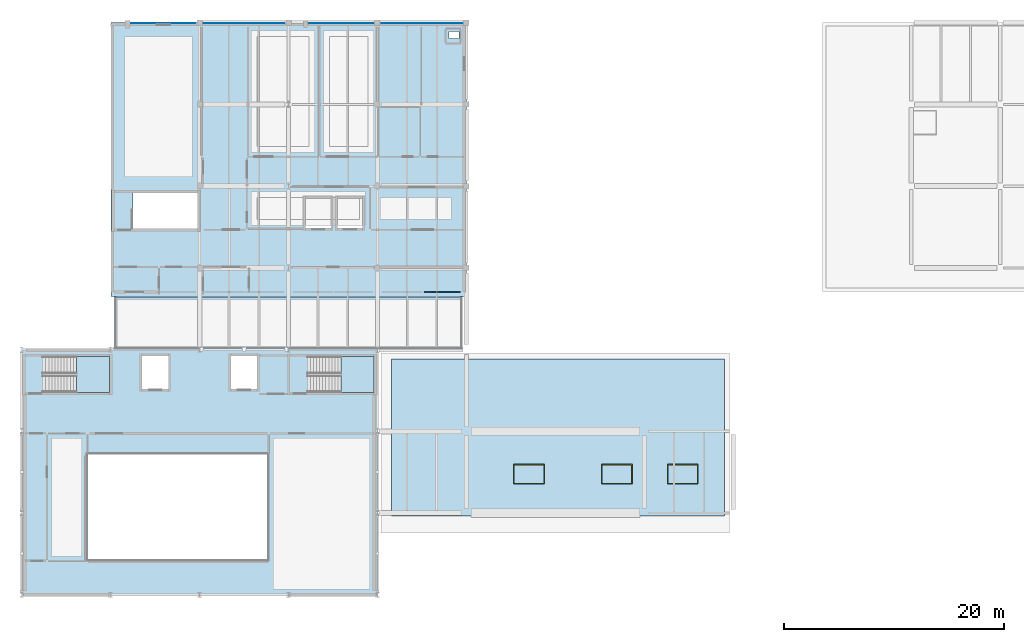
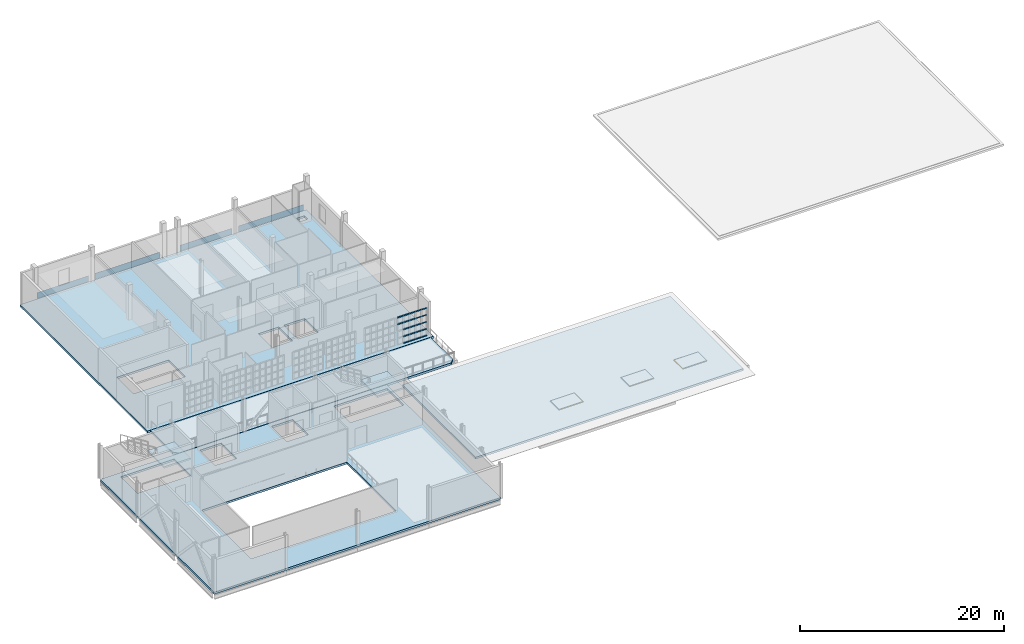
# One storey, part 14 of 25: 22 members, 7 plates, 6 slabs, 3 windows, 3 openings, 3 elements without a shape of their own.
"""IFC4 building model written with IfcOpenShell, lengths in metres."""

from ifc_helpers import new_model, si_unit, direction, frame, origin, origin_2d, place, context, subcontext, project, spatial, polyline, rectangle, hollow_rectangle, outline, extrude, material, layer, layer_set, material_profile, profile_set, type_object, element, fill, aggregate, save


model = new_model("IFC4")

# Units and contexts
model_context = context("Model", 3, precision=1e-05, world=origin(), true_north=direction((0.0, 1.0)))
body_context = subcontext(model_context, "Body", "Model", "MODEL_VIEW")
ifc_project = project(units=[si_unit("LENGTHUNIT", "METRE"), si_unit("AREAUNIT", "SQUARE_METRE"), si_unit("VOLUMEUNIT", "CUBIC_METRE"), si_unit("PLANEANGLEUNIT", "RADIAN"), si_unit("MASSUNIT", "GRAM", prefix="KILO")], contexts=[model_context])

# Site, building, storey
site_placement = place(None, origin())
site = spatial("IfcSite", under=ifc_project, at=site_placement, CompositionType="ELEMENT")
building_placement = place(site_placement, origin())
building = spatial("IfcBuilding", under=site, at=building_placement, Name="Kaelora Sail Theatre", CompositionType="ELEMENT")
storey_placement = place(building_placement, frame((0.0, 0.0, 19.199951171875)))
storey = spatial("IfcBuildingStorey", under=building, at=storey_placement, Name="L04", CompositionType="ELEMENT", Elevation=19.199951171875)

# Curtain wall, members
ifc_material_1 = material(Name="Anodised aluminium and solar-control low-E IGU", Category="aluminium")
curtain_wall_type = type_object("IfcCurtainWallType", Name="ARC-CW-CW-CLR", PredefinedType="NOTDEFINED", material=ifc_material_1)
curtain_wall_placement = place(storey_placement, origin())
curtain_wall = element("IfcCurtainWall", 1, at=curtain_wall_placement, inside=storey, type_object=curtain_wall_type, Name="Glazed Foyer/Conservatory Curtain Wall NW2-S-L04-07", PredefinedType="NOTDEFINED")
ifc_material_2 = material(Name="Anodised aluminium 6063-T6", Category="aluminium")
ifc_material_profile = material_profile(ifc_material_2, hollow_rectangle(XDim=0.070068359375, YDim=0.139892578125, WallThickness=0.00390625, InnerFilletRadius=0.00390625, OuterFilletRadius=0.008056640625, at=origin_2d()), Name="ALU-TRAN 70x140x4")
ifc_profile_set = profile_set([ifc_material_profile], Name="Anodised aluminium 6063-T6")
member_type = type_object("IfcMemberType", Name="ARC-MEM-TR-140", PredefinedType="USERDEFINED", material=ifc_profile_set)
member_1_placement = place(storey_placement, frame((62.4599609375, 88.590087890625, 2.51025390625), z_axis=(1.0, 0.0, 0.0), x_axis=(0.0, 1.0, 0.0)))
member_1 = element("IfcMember", 2, at=member_1_placement, type_object=member_type, Name="CW-CLR transom 1.4", ObjectType="TRANSOM", PredefinedType="USERDEFINED", context=body_context, shape_type="SweptSolid", body=[
    extrude(hollow_rectangle(XDim=0.070068359375, YDim=0.139892578125, WallThickness=0.00390625, InnerFilletRadius=0.00390625, OuterFilletRadius=0.008056640625, at=origin_2d()), origin(), (0.0, 0.0, 1.0), 0.590087890625),
])
member_2_placement = place(storey_placement, frame((62.4599609375, 88.590087890625, 3.31201171875), z_axis=(1.0, 0.0, 0.0), x_axis=(0.0, 1.0, 0.0)))
member_2 = element("IfcMember", 3, at=member_2_placement, type_object=member_type, Name="CW-CLR transom 1.5", ObjectType="TRANSOM", PredefinedType="USERDEFINED", context=body_context, shape_type="SweptSolid", body=[
    extrude(hollow_rectangle(XDim=0.070068359375, YDim=0.139892578125, WallThickness=0.00390625, InnerFilletRadius=0.00390625, OuterFilletRadius=0.008056640625, at=origin_2d()), origin(), (0.0, 0.0, 1.0), 0.590087890625),
])
member_3_placement = place(storey_placement, frame((63.110107421875, 88.590087890625, 0.03515625), z_axis=(1.0, 0.0, 0.0), x_axis=(0.0, 1.0, 0.0)))
member_3 = element("IfcMember", 4, at=member_3_placement, type_object=member_type, Name="CW-CLR transom 2.1", ObjectType="TRANSOM", PredefinedType="USERDEFINED", context=body_context, shape_type="SweptSolid", body=[
    extrude(hollow_rectangle(XDim=0.070068359375, YDim=0.139892578125, WallThickness=0.00390625, InnerFilletRadius=0.00390625, OuterFilletRadius=0.008056640625, at=origin_2d()), origin(), (0.0, 0.0, 1.0), 0.619873046875),
])
member_4_placement = place(storey_placement, frame((63.110107421875, 88.590087890625, 0.836669921875), z_axis=(1.0, 0.0, 0.0), x_axis=(0.0, 1.0, 0.0)))
member_4 = element("IfcMember", 5, at=member_4_placement, type_object=member_type, Name="CW-CLR transom 2.2", ObjectType="TRANSOM", PredefinedType="USERDEFINED", context=body_context, shape_type="SweptSolid", body=[
    extrude(hollow_rectangle(XDim=0.070068359375, YDim=0.139892578125, WallThickness=0.00390625, InnerFilletRadius=0.00390625, OuterFilletRadius=0.008056640625, at=origin_2d()), origin(), (0.0, 0.0, 1.0), 0.619873046875),
])
member_5_placement = place(storey_placement, frame((63.110107421875, 88.590087890625, 1.673583984375), z_axis=(1.0, 0.0, 0.0), x_axis=(0.0, 1.0, 0.0)))
member_5 = element("IfcMember", 6, at=member_5_placement, type_object=member_type, Name="CW-CLR transom 2.3", ObjectType="TRANSOM", PredefinedType="USERDEFINED", context=body_context, shape_type="SweptSolid", body=[
    extrude(hollow_rectangle(XDim=0.070068359375, YDim=0.139892578125, WallThickness=0.00390625, InnerFilletRadius=0.00390625, OuterFilletRadius=0.008056640625, at=origin_2d()), origin(), (0.0, 0.0, 1.0), 0.619873046875),
])
member_6_placement = place(storey_placement, frame((63.110107421875, 88.590087890625, 2.51025390625), z_axis=(1.0, 0.0, 0.0), x_axis=(0.0, 1.0, 0.0)))
member_6 = element("IfcMember", 7, at=member_6_placement, type_object=member_type, Name="CW-CLR transom 2.4", ObjectType="TRANSOM", PredefinedType="USERDEFINED", context=body_context, shape_type="SweptSolid", body=[
    extrude(hollow_rectangle(XDim=0.070068359375, YDim=0.139892578125, WallThickness=0.00390625, InnerFilletRadius=0.00390625, OuterFilletRadius=0.008056640625, at=origin_2d()), origin(), (0.0, 0.0, 1.0), 0.619873046875),
])
member_7_placement = place(storey_placement, frame((63.110107421875, 88.590087890625, 3.31201171875), z_axis=(1.0, 0.0, 0.0), x_axis=(0.0, 1.0, 0.0)))
member_7 = element("IfcMember", 8, at=member_7_placement, type_object=member_type, Name="CW-CLR transom 2.5", ObjectType="TRANSOM", PredefinedType="USERDEFINED", context=body_context, shape_type="SweptSolid", body=[
    extrude(hollow_rectangle(XDim=0.070068359375, YDim=0.139892578125, WallThickness=0.00390625, InnerFilletRadius=0.00390625, OuterFilletRadius=0.008056640625, at=origin_2d()), origin(), (0.0, 0.0, 1.0), 0.619873046875),
])
member_8_placement = place(storey_placement, frame((63.7900390625, 88.590087890625, 0.03515625), z_axis=(1.0, 0.0, 0.0), x_axis=(0.0, 1.0, 0.0)))
member_8 = element("IfcMember", 9, at=member_8_placement, type_object=member_type, Name="CW-CLR transom 3.1", ObjectType="TRANSOM", PredefinedType="USERDEFINED", context=body_context, shape_type="SweptSolid", body=[
    extrude(hollow_rectangle(XDim=0.070068359375, YDim=0.139892578125, WallThickness=0.00390625, InnerFilletRadius=0.00390625, OuterFilletRadius=0.008056640625, at=origin_2d()), origin(), (0.0, 0.0, 1.0), 0.619873046875),
])
member_9_placement = place(storey_placement, frame((63.7900390625, 88.590087890625, 0.836669921875), z_axis=(1.0, 0.0, 0.0), x_axis=(0.0, 1.0, 0.0)))
member_9 = element("IfcMember", 10, at=member_9_placement, type_object=member_type, Name="CW-CLR transom 3.2", ObjectType="TRANSOM", PredefinedType="USERDEFINED", context=body_context, shape_type="SweptSolid", body=[
    extrude(hollow_rectangle(XDim=0.070068359375, YDim=0.139892578125, WallThickness=0.00390625, InnerFilletRadius=0.00390625, OuterFilletRadius=0.008056640625, at=origin_2d()), origin(), (0.0, 0.0, 1.0), 0.619873046875),
])
member_10_placement = place(storey_placement, frame((63.7900390625, 88.590087890625, 1.673583984375), z_axis=(1.0, 0.0, 0.0), x_axis=(0.0, 1.0, 0.0)))
member_10 = element("IfcMember", 11, at=member_10_placement, type_object=member_type, Name="CW-CLR transom 3.3", ObjectType="TRANSOM", PredefinedType="USERDEFINED", context=body_context, shape_type="SweptSolid", body=[
    extrude(hollow_rectangle(XDim=0.070068359375, YDim=0.139892578125, WallThickness=0.00390625, InnerFilletRadius=0.00390625, OuterFilletRadius=0.008056640625, at=origin_2d()), origin(), (0.0, 0.0, 1.0), 0.619873046875),
])
member_11_placement = place(storey_placement, frame((63.7900390625, 88.590087890625, 2.51025390625), z_axis=(1.0, 0.0, 0.0), x_axis=(0.0, 1.0, 0.0)))
member_11 = element("IfcMember", 12, at=member_11_placement, type_object=member_type, Name="CW-CLR transom 3.4", ObjectType="TRANSOM", PredefinedType="USERDEFINED", context=body_context, shape_type="SweptSolid", body=[
    extrude(hollow_rectangle(XDim=0.070068359375, YDim=0.139892578125, WallThickness=0.00390625, InnerFilletRadius=0.00390625, OuterFilletRadius=0.008056640625, at=origin_2d()), origin(), (0.0, 0.0, 1.0), 0.619873046875),
])
member_12_placement = place(storey_placement, frame((63.7900390625, 88.590087890625, 3.31201171875), z_axis=(1.0, 0.0, 0.0), x_axis=(0.0, 1.0, 0.0)))
member_12 = element("IfcMember", 13, at=member_12_placement, type_object=member_type, Name="CW-CLR transom 3.5", ObjectType="TRANSOM", PredefinedType="USERDEFINED", context=body_context, shape_type="SweptSolid", body=[
    extrude(hollow_rectangle(XDim=0.070068359375, YDim=0.139892578125, WallThickness=0.00390625, InnerFilletRadius=0.00390625, OuterFilletRadius=0.008056640625, at=origin_2d()), origin(), (0.0, 0.0, 1.0), 0.619873046875),
])
member_13_placement = place(storey_placement, frame((64.469970703125, 88.590087890625, 0.03515625), z_axis=(1.0, 0.0, 0.0), x_axis=(0.0, 1.0, 0.0)))
member_13 = element("IfcMember", 14, at=member_13_placement, type_object=member_type, Name="CW-CLR transom 4.1", ObjectType="TRANSOM", PredefinedType="USERDEFINED", context=body_context, shape_type="SweptSolid", body=[
    extrude(hollow_rectangle(XDim=0.070068359375, YDim=0.139892578125, WallThickness=0.00390625, InnerFilletRadius=0.00390625, OuterFilletRadius=0.008056640625, at=origin_2d()), origin(), (0.0, 0.0, 1.0), 0.6201171875),
])
member_14_placement = place(storey_placement, frame((64.469970703125, 88.590087890625, 0.836669921875), z_axis=(1.0, 0.0, 0.0), x_axis=(0.0, 1.0, 0.0)))
member_14 = element("IfcMember", 15, at=member_14_placement, type_object=member_type, Name="CW-CLR transom 4.2", ObjectType="TRANSOM", PredefinedType="USERDEFINED", context=body_context, shape_type="SweptSolid", body=[
    extrude(hollow_rectangle(XDim=0.070068359375, YDim=0.139892578125, WallThickness=0.00390625, InnerFilletRadius=0.00390625, OuterFilletRadius=0.008056640625, at=origin_2d()), origin(), (0.0, 0.0, 1.0), 0.6201171875),
])
member_15_placement = place(storey_placement, frame((64.469970703125, 88.590087890625, 1.673583984375), z_axis=(1.0, 0.0, 0.0), x_axis=(0.0, 1.0, 0.0)))
member_15 = element("IfcMember", 16, at=member_15_placement, type_object=member_type, Name="CW-CLR transom 4.3", ObjectType="TRANSOM", PredefinedType="USERDEFINED", context=body_context, shape_type="SweptSolid", body=[
    extrude(hollow_rectangle(XDim=0.070068359375, YDim=0.139892578125, WallThickness=0.00390625, InnerFilletRadius=0.00390625, OuterFilletRadius=0.008056640625, at=origin_2d()), origin(), (0.0, 0.0, 1.0), 0.6201171875),
])
member_16_placement = place(storey_placement, frame((64.469970703125, 88.590087890625, 2.51025390625), z_axis=(1.0, 0.0, 0.0), x_axis=(0.0, 1.0, 0.0)))
member_16 = element("IfcMember", 17, at=member_16_placement, type_object=member_type, Name="CW-CLR transom 4.4", ObjectType="TRANSOM", PredefinedType="USERDEFINED", context=body_context, shape_type="SweptSolid", body=[
    extrude(hollow_rectangle(XDim=0.070068359375, YDim=0.139892578125, WallThickness=0.00390625, InnerFilletRadius=0.00390625, OuterFilletRadius=0.008056640625, at=origin_2d()), origin(), (0.0, 0.0, 1.0), 0.6201171875),
])
member_17_placement = place(storey_placement, frame((64.469970703125, 88.590087890625, 3.31201171875), z_axis=(1.0, 0.0, 0.0), x_axis=(0.0, 1.0, 0.0)))
member_17 = element("IfcMember", 18, at=member_17_placement, type_object=member_type, Name="CW-CLR transom 4.5", ObjectType="TRANSOM", PredefinedType="USERDEFINED", context=body_context, shape_type="SweptSolid", body=[
    extrude(hollow_rectangle(XDim=0.070068359375, YDim=0.139892578125, WallThickness=0.00390625, InnerFilletRadius=0.00390625, OuterFilletRadius=0.008056640625, at=origin_2d()), origin(), (0.0, 0.0, 1.0), 0.6201171875),
])
member_18_placement = place(storey_placement, frame((65.14990234375, 88.590087890625, 0.03515625), z_axis=(1.0, 0.0, 0.0), x_axis=(0.0, 1.0, 0.0)))
member_18 = element("IfcMember", 19, at=member_18_placement, type_object=member_type, Name="CW-CLR transom 5.1", ObjectType="TRANSOM", PredefinedType="USERDEFINED", context=body_context, shape_type="SweptSolid", body=[
    extrude(hollow_rectangle(XDim=0.070068359375, YDim=0.139892578125, WallThickness=0.00390625, InnerFilletRadius=0.00390625, OuterFilletRadius=0.008056640625, at=origin_2d()), origin(), (0.0, 0.0, 1.0), 0.590087890625),
])
member_19_placement = place(storey_placement, frame((65.14990234375, 88.590087890625, 0.836669921875), z_axis=(1.0, 0.0, 0.0), x_axis=(0.0, 1.0, 0.0)))
member_19 = element("IfcMember", 20, at=member_19_placement, type_object=member_type, Name="CW-CLR transom 5.2", ObjectType="TRANSOM", PredefinedType="USERDEFINED", context=body_context, shape_type="SweptSolid", body=[
    extrude(hollow_rectangle(XDim=0.070068359375, YDim=0.139892578125, WallThickness=0.00390625, InnerFilletRadius=0.00390625, OuterFilletRadius=0.008056640625, at=origin_2d()), origin(), (0.0, 0.0, 1.0), 0.590087890625),
])
member_20_placement = place(storey_placement, frame((65.14990234375, 88.590087890625, 1.673583984375), z_axis=(1.0, 0.0, 0.0), x_axis=(0.0, 1.0, 0.0)))
member_20 = element("IfcMember", 21, at=member_20_placement, type_object=member_type, Name="CW-CLR transom 5.3", ObjectType="TRANSOM", PredefinedType="USERDEFINED", context=body_context, shape_type="SweptSolid", body=[
    extrude(hollow_rectangle(XDim=0.070068359375, YDim=0.139892578125, WallThickness=0.00390625, InnerFilletRadius=0.00390625, OuterFilletRadius=0.008056640625, at=origin_2d()), origin(), (0.0, 0.0, 1.0), 0.590087890625),
])
member_21_placement = place(storey_placement, frame((65.14990234375, 88.590087890625, 2.51025390625), z_axis=(1.0, 0.0, 0.0), x_axis=(0.0, 1.0, 0.0)))
member_21 = element("IfcMember", 22, at=member_21_placement, type_object=member_type, Name="CW-CLR transom 5.4", ObjectType="TRANSOM", PredefinedType="USERDEFINED", context=body_context, shape_type="SweptSolid", body=[
    extrude(hollow_rectangle(XDim=0.070068359375, YDim=0.139892578125, WallThickness=0.00390625, InnerFilletRadius=0.00390625, OuterFilletRadius=0.008056640625, at=origin_2d()), origin(), (0.0, 0.0, 1.0), 0.590087890625),
])
member_22_placement = place(storey_placement, frame((65.14990234375, 88.590087890625, 3.31201171875), z_axis=(1.0, 0.0, 0.0), x_axis=(0.0, 1.0, 0.0)))
member_22 = element("IfcMember", 23, at=member_22_placement, type_object=member_type, Name="CW-CLR transom 5.5", ObjectType="TRANSOM", PredefinedType="USERDEFINED", context=body_context, shape_type="SweptSolid", body=[
    extrude(hollow_rectangle(XDim=0.070068359375, YDim=0.139892578125, WallThickness=0.00390625, InnerFilletRadius=0.00390625, OuterFilletRadius=0.008056640625, at=origin_2d()), origin(), (0.0, 0.0, 1.0), 0.590087890625),
])
aggregate(curtain_wall, [member_1, member_2, member_3, member_4, member_5, member_6, member_7, member_8, member_9, member_10, member_11, member_12, member_13, member_14, member_15, member_16, member_17, member_18, member_19, member_20, member_21, member_22])

# Plates
ifc_material_3 = material(Name="Anodised perforated aluminium acoustic screen", Category="aluminium")
ifc_layer_1 = layer(ifc_material_3, 0.01611328125)
ifc_layer_set_1 = layer_set([ifc_layer_1], Name="Anodised perforated aluminium acoustic screen")
plate_type_1 = type_object("IfcPlateType", Name="ARC-PL-CLD-PRF-16", PredefinedType="USERDEFINED", material=ifc_layer_set_1)
plate_1_placement = place(storey_placement, frame((38.71240234375, 113.04638671875, 0.06005859375), z_axis=(0.0, 0.0, 1.0), x_axis=(1.0, 0.0, 0.0)))
element("IfcPlate", 24, at=plate_1_placement, inside=storey, type_object=plate_type_1, Name="Postmodern Facade Entablature Spandrel L04 B05", ObjectType="ACOUSTIC SCREEN", PredefinedType="USERDEFINED", context=body_context, shape_type="SweptSolid", body=[
    extrude(rectangle(XDim=5.824951171875, YDim=0.01611328125, at=origin_2d()), origin(), (0.0, 0.0, 1.0), 0.719970703125),
])
plate_2_placement = place(storey_placement, frame((62.25, 113.04638671875, 0.06005859375), z_axis=(0.0, 0.0, 1.0), x_axis=(1.0, 0.0, 0.0)))
element("IfcPlate", 25, at=plate_2_placement, inside=storey, type_object=plate_type_1, Name="Postmodern Facade Entablature Spandrel L04 B08", ObjectType="ACOUSTIC SCREEN", PredefinedType="USERDEFINED", context=body_context, shape_type="SweptSolid", body=[
    extrude(rectangle(XDim=7.35009765625, YDim=0.01611328125, at=origin_2d()), origin(), (0.0, 0.0, 1.0), 0.719970703125),
])
ifc_material_4 = material(Name="Architectural glazed terracotta ceramic panel", Category="masonry")
ifc_layer_2 = layer(ifc_material_4, 0.0400390625)
ifc_layer_set_2 = layer_set([ifc_layer_2], Name="Architectural glazed terracotta ceramic panel")
plate_type_2 = type_object("IfcPlateType", Name="ARC-PL-CLD-TER-40", PredefinedType="SHEET", material=ifc_layer_set_2)
plate_3_placement = place(storey_placement, frame((46.050048828125, 113.055908203125, 0.06005859375), z_axis=(0.0, 0.0, 1.0), x_axis=(1.0, 0.0, 0.0)))
element("IfcPlate", 26, at=plate_3_placement, inside=storey, type_object=plate_type_2, Name="Postmodern Facade Entablature Spandrel L04 B06", PredefinedType="SHEET", context=body_context, shape_type="SweptSolid", body=[
    extrude(rectangle(XDim=7.35009765625, YDim=0.0400390625, at=origin_2d()), origin(), (0.0, 0.0, 1.0), 0.719970703125),
])
ifc_material_5 = material(Name="Titanium-zinc acoustic standing-seam cassette", Category="metal")
ifc_layer_3 = layer(ifc_material_5, 0.028076171875)
ifc_layer_set_3 = layer_set([ifc_layer_3], Name="Titanium-zinc acoustic standing-seam cassette")
plate_type_3 = type_object("IfcPlateType", Name="ARC-PL-CLD-ZNC-28", PredefinedType="SHEET", material=ifc_layer_set_3)
plate_4_placement = place(storey_placement, frame((54.89990234375, 113.05126953125, 0.06005859375), z_axis=(0.0, 0.0, 1.0), x_axis=(1.0, 0.0, 0.0)))
element("IfcPlate", 27, at=plate_4_placement, inside=storey, type_object=plate_type_3, Name="Postmodern Facade Entablature Spandrel L04 B07", PredefinedType="SHEET", context=body_context, shape_type="SweptSolid", body=[
    extrude(rectangle(XDim=5.85009765625, YDim=0.028076171875, at=origin_2d()), origin(), (0.0, 0.0, 1.0), 0.719970703125),
])
ifc_material_6 = material(Name="Laminated solar-control skylight glass", Category="glass")
ifc_layer_4 = layer(ifc_material_6, 0.035888671875)
ifc_layer_set_4 = layer_set([ifc_layer_4], Name="Laminated solar-control skylight glass")
plate_type_4 = type_object("IfcPlateType", Name="ARC-PL-SKL-GLS-36", PredefinedType="USERDEFINED", material=ifc_layer_set_4)
for number, where, z_axis, x_axis, name in (
    (28, (72.0, 72.0, 0.0), (0.0, 0.0, 1.0), (1.0, 0.0, 0.0), "Skylight laminated glazing SKL-01"),
    (29, (80.0, 72.0, 0.0), (0.0, 0.0, 1.0), (1.0, 0.0, 0.0), "Skylight laminated glazing SKL-02"),
    (30, (86.0, 72.0, 0.0), (0.0, 0.0, 1.0), (1.0, 0.0, 0.0), "Skylight laminated glazing SKL-03"),
):
    element("IfcPlate", number, at=place(storey_placement, frame(where, z_axis=z_axis, x_axis=x_axis)), inside=storey, type_object=plate_type_4, Name=name, ObjectType="SKYLIGHT PANEL", PredefinedType="USERDEFINED", context=body_context, shape_type="SweptSolid", body=[
        extrude(rectangle(XDim=2.699951171875, YDim=1.699951171875, at=origin_2d()), origin(), (0.0, 0.0, 1.0), 0.035888671875),
    ])

# Stair, slab
ifc_material_7 = material(Name="Concrete C40/50", Category="concrete")
stair_type = type_object("IfcStairType", Name="ARC-ST-ESC150", PredefinedType="HALF_TURN_STAIR", material=ifc_material_7)
stair_1_placement = place(storey_placement, origin())
stair_1 = element("IfcStair", 31, at=stair_1_placement, inside=storey, type_object=stair_type, Name="L04 ST-K1", PredefinedType="HALF_TURN_STAIR")
ifc_material_8 = material(Name="Concrete C40/50", Category="concrete")
ifc_layer_5 = layer(ifc_material_8, 0.219970703125)
ifc_layer_set_5 = layer_set([ifc_layer_5], Name="Concrete C40/50")
slab_type_1 = type_object("IfcSlabType", Name="ARC-SLB-LND220", PredefinedType="LANDING", material=ifc_layer_set_5)
slab_1_placement = place(storey_placement, frame((0.0, 0.0, 1.900146484375)))
slab_1 = element("IfcSlab", 32, at=slab_1_placement, type_object=slab_type_1, Name="ST-K1 landing 1", PredefinedType="LANDING", context=body_context, shape_type="SweptSolid", body=[
    extrude(outline(polyline([(30.7900390625, 79.449951171875), (33.800048828125, 79.449951171875), (33.800048828125, 82.699951171875), (30.7900390625, 82.699951171875), (30.7900390625, 79.449951171875)])), origin(), (0.0, 0.0, 1.0), 0.199951171875),
])
aggregate(stair_1, [slab_1])

stair_2_placement = place(storey_placement, origin())
stair_2 = element("IfcStair", 33, at=stair_2_placement, inside=storey, type_object=stair_type, Name="L04 ST-K5", PredefinedType="HALF_TURN_STAIR")
slab_2_placement = place(storey_placement, frame((0.0, 0.0, 1.900146484375)))
slab_2 = element("IfcSlab", 34, at=slab_2_placement, type_object=slab_type_1, Name="ST-K5 landing 1", PredefinedType="LANDING", context=body_context, shape_type="SweptSolid", body=[
    extrude(outline(polyline([(54.889892578125, 79.449951171875), (57.89990234375, 79.449951171875), (57.89990234375, 82.699951171875), (54.889892578125, 82.699951171875), (54.889892578125, 79.449951171875)])), origin(), (0.0, 0.0, 1.0), 0.199951171875),
])
aggregate(stair_2, [slab_2])

# Slabs
ifc_material_9 = material(Name="Concrete C40/50", Category="concrete")
ifc_layer_6 = layer(ifc_material_9, 0.239990234375)
ifc_layer_set_6 = layer_set([ifc_layer_6], Name="Concrete C40/50")
slab_type_2 = type_object("IfcSlabType", Name="STR-SLB-SL-FL240", PredefinedType="FLOOR", material=ifc_layer_set_6)
slab_3_placement = place(storey_placement, frame((0.0, 0.0, -0.239990234375)))
element("IfcSlab", 35, at=slab_3_placement, inside=storey, type_object=slab_type_2, Name="Fly Tower stage/gallery slab (L04)", PredefinedType="FLOOR", context=body_context, shape_type="SweptSolid", body=[
    extrude(outline(polyline([(25.800048828125, 61.034912109375), (58.199951171875, 61.034912109375), (58.199951171875, 83.324951171875), (25.800048828125, 83.324951171875), (25.800048828125, 61.034912109375)]), holes=[polyline([(27.7548828125, 79.449951171875), (33.800048828125, 79.449951171875), (33.800048828125, 82.699951171875), (27.7548828125, 82.699951171875), (27.7548828125, 79.449951171875)]), polyline([(51.85498046875, 79.449951171875), (57.89990234375, 79.449951171875), (57.89990234375, 82.699951171875), (51.85498046875, 82.699951171875), (51.85498046875, 79.449951171875)]), polyline([(36.75, 79.75), (39.14990234375, 79.75), (39.14990234375, 82.75), (36.75, 82.75), (36.75, 79.75)]), polyline([(44.85009765625, 79.75), (47.25, 79.75), (47.25, 82.75), (44.85009765625, 82.75), (44.85009765625, 79.75)]), polyline([(31.800048828125, 64.199951171875), (48.199951171875, 64.199951171875), (48.199951171875, 73.800048828125), (31.800048828125, 73.800048828125), (31.800048828125, 64.199951171875)])]), origin(), (0.0, 0.0, 1.0), 0.239990234375),
])
slab_4_placement = place(storey_placement, frame((0.0, 0.0, -0.239990234375)))
element("IfcSlab", 36, at=slab_4_placement, inside=storey, type_object=slab_type_2, Name="North Wing floor slab NW2 (L04)", PredefinedType="FLOOR", context=body_context, shape_type="SweptSolid", body=[
    extrude(outline(polyline([(33.9150390625, 88.155029296875), (33.9150390625, 113.10009765625), (66.284912109375, 113.10009765625), (66.284912109375, 88.155029296875), (33.9150390625, 88.155029296875)]), holes=[polyline([(35.945068359375, 94.35009765625), (41.800048828125, 94.35009765625), (41.800048828125, 97.60009765625), (35.945068359375, 97.60009765625), (35.945068359375, 94.35009765625)]), polyline([(51.64990234375, 94.39990234375), (53.949951171875, 94.39990234375), (53.949951171875, 97.10009765625), (51.64990234375, 97.10009765625), (51.64990234375, 94.39990234375)]), polyline([(54.550048828125, 94.39990234375), (56.85009765625, 94.39990234375), (56.85009765625, 97.10009765625), (54.550048828125, 97.10009765625), (54.550048828125, 94.39990234375)]), polyline([(64.735107421875, 111.64990234375), (65.635009765625, 111.64990234375), (65.635009765625, 112.300048828125), (64.735107421875, 112.300048828125), (64.735107421875, 111.64990234375)])]), origin(), (0.0, 0.0, 1.0), 0.239990234375),
])

# Slab, openings, windows
ifc_material_10 = material(Name="Concrete C40/50", Category="concrete")
ifc_layer_7 = layer(ifc_material_10, 0.235107421875)
ifc_layer_set_7 = layer_set([ifc_layer_7], Name="Concrete C40/50")
slab_type_3 = type_object("IfcSlabType", Name="STR-SLB-SL-RF235", PredefinedType="ROOF", material=ifc_layer_set_7)
slab_5_placement = place(storey_placement, frame((0.0, 0.0, -0.23486328125)))
slab_5 = element("IfcSlab", 37, at=slab_5_placement, inside=storey, type_object=slab_type_3, Name="Flat wing roof slab RF-FC1-TOP", PredefinedType="ROOF", context=body_context, shape_type="SweptSolid", body=[
    extrude(outline(polyline([(59.5, 82.5), (89.800048828125, 82.5), (89.800048828125, 68.199951171875), (59.5, 68.199951171875), (59.5, 82.5)])), origin(), (0.0, 0.0, 1.0), 0.23486328125),
])
opening_1_placement = place(slab_5_placement, frame((72.0, 72.0, 0.0)))
opening_1 = element("IfcOpeningElement", 38, at=opening_1_placement, cuts=slab_5, Name="Opening W-12", PredefinedType="OPENING", context=body_context, shape_type="SweptSolid", body=[
    extrude(rectangle(XDim=2.800048828125, YDim=1.800048828125, at=origin_2d()), origin(), (0.0, 0.0, 1.0), 0.23486328125),
])
opening_2_placement = place(slab_5_placement, frame((80.0, 72.0, 0.0)))
opening_2 = element("IfcOpeningElement", 39, at=opening_2_placement, cuts=slab_5, Name="Opening W-12", PredefinedType="OPENING", context=body_context, shape_type="SweptSolid", body=[
    extrude(rectangle(XDim=2.800048828125, YDim=1.800048828125, at=origin_2d()), origin(), (0.0, 0.0, 1.0), 0.23486328125),
])
opening_3_placement = place(slab_5_placement, frame((86.0, 72.0, 0.0)))
opening_3 = element("IfcOpeningElement", 40, at=opening_3_placement, cuts=slab_5, Name="Opening W-12", PredefinedType="OPENING", context=body_context, shape_type="SweptSolid", body=[
    extrude(rectangle(XDim=2.800048828125, YDim=1.800048828125, at=origin_2d()), origin(), (0.0, 0.0, 1.0), 0.23486328125),
])
ifc_material_11 = material(Name="Thermally broken aluminium and low-E double glazing", Category="aluminium")
window_type = type_object("IfcWindowType", Name="ARC-WIN-W-12", PartitioningType="SINGLE_PANEL", PredefinedType="SKYLIGHT", material=ifc_material_11)
window_1_placement = place(opening_1_placement, frame((0.0, 0.0, 0.18994140625)))
window_1 = element("IfcWindow", 41, at=window_1_placement, inside=storey, type_object=window_type, Name="Acoustic Roof Skylight SKL-01", OverallHeight=1.800048828125, OverallWidth=2.800048828125, PartitioningType="SINGLE_PANEL", PredefinedType="SKYLIGHT", context=body_context, shape_type="SweptSolid", body=[
    extrude(rectangle(XDim=2.800048828125, YDim=1.800048828125, at=origin_2d()), origin(), (0.0, 0.0, 1.0), 0.044921875),
])
fill(opening_1, window_1)
window_2_placement = place(opening_2_placement, frame((0.0, 0.0, 0.18994140625)))
window_2 = element("IfcWindow", 42, at=window_2_placement, inside=storey, type_object=window_type, Name="Acoustic Roof Skylight SKL-02", OverallHeight=1.800048828125, OverallWidth=2.800048828125, PartitioningType="SINGLE_PANEL", PredefinedType="SKYLIGHT", context=body_context, shape_type="SweptSolid", body=[
    extrude(rectangle(XDim=2.800048828125, YDim=1.800048828125, at=origin_2d()), origin(), (0.0, 0.0, 1.0), 0.044921875),
])
fill(opening_2, window_2)
window_3_placement = place(opening_3_placement, frame((0.0, 0.0, 0.18994140625)))
window_3 = element("IfcWindow", 43, at=window_3_placement, inside=storey, type_object=window_type, Name="Acoustic Roof Skylight SKL-03", OverallHeight=1.800048828125, OverallWidth=2.800048828125, PartitioningType="SINGLE_PANEL", PredefinedType="SKYLIGHT", context=body_context, shape_type="SweptSolid", body=[
    extrude(rectangle(XDim=2.800048828125, YDim=1.800048828125, at=origin_2d()), origin(), (0.0, 0.0, 1.0), 0.044921875),
])
fill(opening_3, window_3)

# Slab
ifc_material_12 = material(Name="Concrete C40/50", Category="concrete")
ifc_layer_8 = layer(ifc_material_12, 0.2548828125)
ifc_layer_set_8 = layer_set([ifc_layer_8], Name="Concrete C40/50")
slab_type_4 = type_object("IfcSlabType", Name="STR-SLB-SL-TR255", PredefinedType="FLOOR", material=ifc_layer_set_8)
slab_6_placement = place(storey_placement, frame((0.0, 0.0, -0.2548828125)))
element("IfcSlab", 44, at=slab_6_placement, inside=storey, type_object=slab_type_4, Name="Fifth Step Conservatory & Recording Planted Terrace", PredefinedType="FLOOR", context=body_context, shape_type="SweptSolid", body=[
    extrude(outline(polyline([(34.699951171875, 83.35498046875), (65.5, 83.35498046875), (65.949951171875, 83.804931640625), (65.949951171875, 88.135009765625), (34.25, 88.135009765625), (34.25, 83.804931640625), (34.699951171875, 83.35498046875)])), origin(), (0.0, 0.0, 1.0), 0.2548828125),
])

save(model, "model.ifc")
